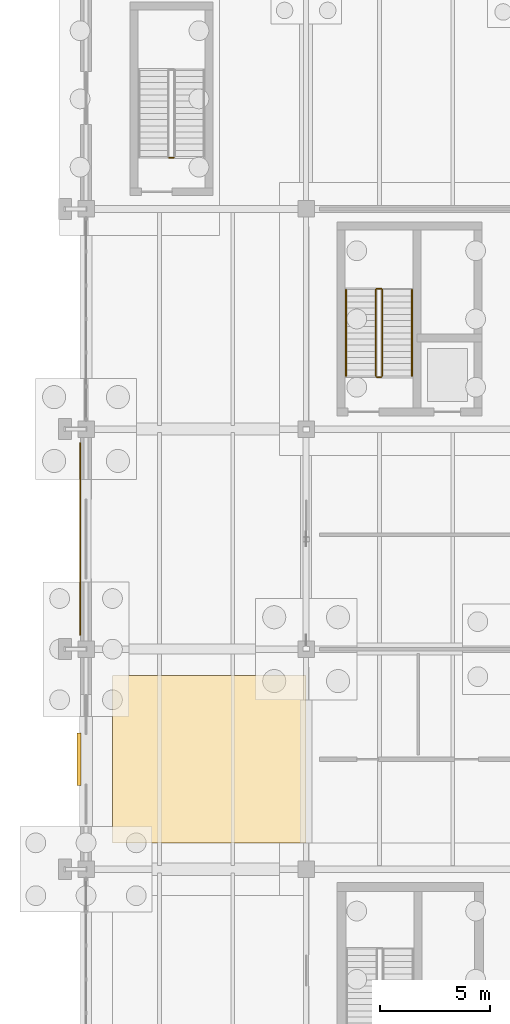
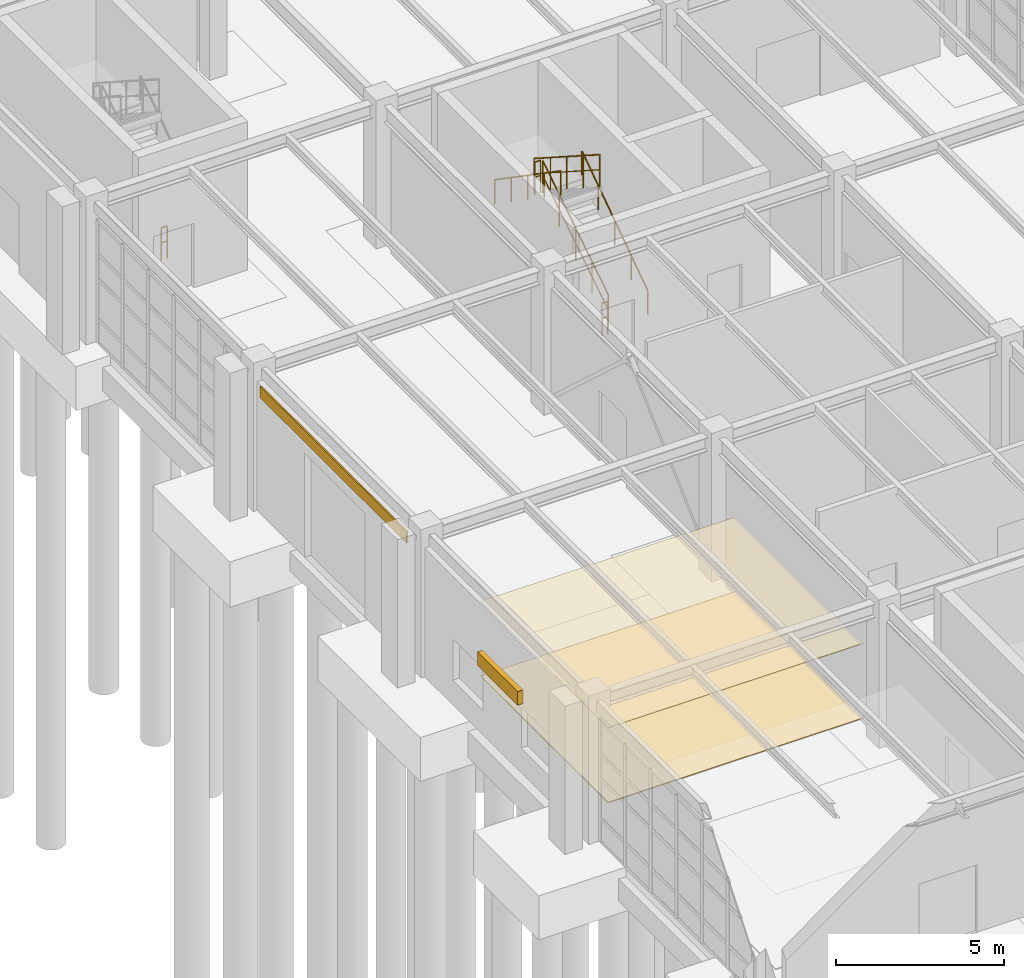
# One storey, part 132 of 145: 7 railings, 3 coverings, 1 shading device.
"""IFC4 building model written with IfcOpenShell, lengths in metres."""

from ifc_helpers import new_model, si_unit, direction, frame, origin, origin_2d, place, context, subcontext, project, spatial, polyline, rectangle, circle, outline, extrude, material, layer, layer_set, type_object, element, save


model = new_model("IFC4")

# Units and contexts
model_context = context("Model", 3, precision=1e-05, world=origin(), true_north=direction((0.0, 1.0)))
body_context = subcontext(model_context, "Body", "Model", "MODEL_VIEW")
ifc_project = project(units=[si_unit("LENGTHUNIT", "METRE"), si_unit("AREAUNIT", "SQUARE_METRE"), si_unit("VOLUMEUNIT", "CUBIC_METRE"), si_unit("PLANEANGLEUNIT", "RADIAN"), si_unit("MASSUNIT", "GRAM", prefix="KILO"), si_unit("THERMODYNAMICTEMPERATUREUNIT", "KELVIN"), si_unit("POWERUNIT", "WATT")], contexts=[model_context])

# Site, building, storey
site_placement = place(None, origin())
site = spatial("IfcSite", under=ifc_project, at=site_placement, CompositionType="ELEMENT")
building_placement = place(site_placement, origin())
building = spatial("IfcBuilding", under=site, at=building_placement, Name="Korenveer Ferry Terminal", CompositionType="ELEMENT")
storey_placement = place(building_placement, origin())
storey = spatial("IfcBuildingStorey", under=building, at=storey_placement, Name="L00", CompositionType="ELEMENT", Elevation=0.0)

# Covering
ifc_material_1 = material(Name="Carved Belgian bluestone spandrel cladding", Category="masonry")
ifc_layer_1 = layer(ifc_material_1, 0.050048828125)
ifc_layer_set_1 = layer_set([ifc_layer_1], Name="Carved Belgian bluestone spandrel cladding")
covering_type_1 = type_object("IfcCoveringType", Name="ENV-COV-STONE", PredefinedType="CLADDING", material=ifc_layer_set_1)
covering_1_placement = place(storey_placement, frame((0.0, 0.0, 4.27001953125)))
element("IfcCovering", 1, at=covering_1_placement, inside=storey, type_object=covering_type_1, Name="Belgian bluestone spandrel band 9", PredefinedType="CLADDING", context=body_context, shape_type="SweptSolid", body=[
    extrude(outline(polyline([(-0.294921875, 40.625), (-0.2451171875, 40.625), (-0.2451171875, 49.375), (-0.294921875, 49.375), (-0.294921875, 40.625)])), origin(), (0.0, 0.0, 1.0), 0.419921875),
])

# Shading device
ifc_material_2 = material(Name="Anodised bronze aluminium acoustic louvre", Category="aluminium")
shading_device_type = type_object("IfcShadingDeviceType", Name="ENV-SHD-LVR", PredefinedType="SHUTTER", material=ifc_material_2)
shading_device_placement = place(storey_placement, frame((-0.320068359375, 35.0, 2.550048828125), z_axis=(0.0, 0.0, 1.0), x_axis=(0.0, 1.0, 0.0)))
element("IfcShadingDevice", 2, at=shading_device_placement, inside=storey, type_object=shading_device_type, Name="Plant facade intake louvre 3", PredefinedType="SHUTTER", context=body_context, shape_type="SweptSolid", body=[
    extrude(rectangle(XDim=2.39990234375, YDim=0.179931640625, at=origin_2d()), origin(), (0.0, 0.0, 1.0), 0.5),
])

# Coverings
ifc_material_3 = material(Name="Mineral acoustic ceiling board", Category="other")
ifc_layer_2 = layer(ifc_material_3, 0.02490234375)
ifc_layer_set_2 = layer_set([ifc_layer_2], Name="Mineral acoustic ceiling board")
covering_type_2 = type_object("IfcCoveringType", Name="INT-COV-CEIL", PredefinedType="CEILING", material=ifc_layer_set_2)
covering_2_placement = place(storey_placement, frame((0.0, 0.0, 2.72509765625)))
element("IfcCovering", 3, at=covering_2_placement, inside=storey, type_object=covering_type_2, Name="Acoustic room ceiling 2", PredefinedType="CEILING", context=body_context, shape_type="SweptSolid", body=[
    extrude(outline(polyline([(1.199951171875, 31.199951171875), (10.0, 31.199951171875), (10.0, 38.800048828125), (1.199951171875, 38.800048828125), (1.199951171875, 31.199951171875)])), origin(), (0.0, 0.0, 1.0), 0.02490234375),
])
ifc_material_4 = material(Name="Polished terrazzo tile finish", Category="masonry")
ifc_layer_3 = layer(ifc_material_4, 0.030029296875)
ifc_layer_set_3 = layer_set([ifc_layer_3], Name="Polished terrazzo tile finish")
covering_type_3 = type_object("IfcCoveringType", Name="INT-COV-FLR", PredefinedType="FLOORING", material=ifc_layer_set_3)
covering_3_placement = place(storey_placement, origin())
element("IfcCovering", 4, at=covering_3_placement, inside=storey, type_object=covering_type_3, Name="Terrazzo floor finish 2", PredefinedType="FLOORING", context=body_context, shape_type="SweptSolid", body=[
    extrude(outline(polyline([(1.199951171875, 31.199951171875), (10.0, 31.199951171875), (10.0, 38.800048828125), (1.199951171875, 38.800048828125), (1.199951171875, 31.199951171875)])), origin(), (0.0, 0.0, 1.0), 0.030029296875),
])

# Railings
ifc_material_5 = material(Name="Brushed stainless steel handrail", Category="steel")
railing_type_1 = type_object("IfcRailingType", Name="INT-RL-HND90", PredefinedType="HANDRAIL", material=ifc_material_5)
railing_1_placement = place(storey_placement, frame((14.81005859375, 52.409912109375, 0.179931640625)))
element("IfcRailing", 5, at=railing_1_placement, inside=storey, type_object=railing_type_1, Name="L00 ST02 stair handrail 1", PredefinedType="HANDRAIL", context=body_context, shape_type="SweptSolid", body=[
    extrude(circle(Radius=0.02392578125, at=origin_2d()), frame((0.0, 0.0, 0.8759765625), z_axis=(0.0, 0.823567234665, 0.567218661528), x_axis=(-1.0, 0.0, 0.0)), (0.0, 0.0, 1.0), 4.760009765625),
    extrude(circle(Radius=0.02099609375, at=origin_2d()), origin(), (0.0, 0.0, 1.0), 0.851806640625),
    extrude(circle(Radius=0.02099609375, at=origin_2d()), frame((0.0, 0.97998046875, 0.675048828125)), (0.0, 0.0, 1.0), 0.851806640625),
    extrude(circle(Radius=0.02099609375, at=origin_2d()), frame((0.0, 1.9599609375, 1.35009765625)), (0.0, 0.0, 1.0), 0.851806640625),
    extrude(circle(Radius=0.02099609375, at=origin_2d()), frame((0.0, 2.940185546875, 2.02490234375)), (0.0, 0.0, 1.0), 0.851806640625),
    extrude(circle(Radius=0.02099609375, at=origin_2d()), frame((0.0, 3.920166015625, 2.699951171875)), (0.0, 0.0, 1.0), 0.851806640625),
])
railing_2_placement = place(storey_placement, frame((11.81005859375, 56.330078125, 2.8798828125)))
element("IfcRailing", 6, at=railing_2_placement, inside=storey, type_object=railing_type_1, Name="L00 ST02 stair handrail 2", PredefinedType="HANDRAIL", context=body_context, shape_type="SweptSolid", body=[
    extrude(circle(Radius=0.02392578125, at=origin_2d()), frame((0.0, 0.0, 0.8759765625), z_axis=(0.0, -0.82354327477, 0.567253448276), x_axis=(1.0, 0.0, 0.0)), (0.0, 0.0, 1.0), 4.760009765625),
    extrude(circle(Radius=0.02099609375, at=origin_2d()), origin(), (0.0, 0.0, 1.0), 0.851806640625),
    extrude(circle(Radius=0.02099609375, at=origin_2d()), frame((0.0, -0.97998046875, 0.675048828125)), (0.0, 0.0, 1.0), 0.851806640625),
    extrude(circle(Radius=0.02099609375, at=origin_2d()), frame((0.0, -1.9599609375, 1.35009765625)), (0.0, 0.0, 1.0), 0.851806640625),
    extrude(circle(Radius=0.02099609375, at=origin_2d()), frame((0.0, -2.940185546875, 2.025146484375)), (0.0, 0.0, 1.0), 0.851806640625),
    extrude(circle(Radius=0.02099609375, at=origin_2d()), frame((0.0, -3.920166015625, 2.7001953125)), (0.0, 0.0, 1.0), 0.851806640625),
])
ifc_material_6 = material(Name="Painted steel stair guard", Category="steel")
railing_type_2 = type_object("IfcRailingType", Name="INT-RL-STGRD", PredefinedType="GUARDRAIL", material=ifc_material_6)
railing_3_placement = place(storey_placement, frame((13.4599609375, 52.409912109375, 0.179931640625)))
element("IfcRailing", 7, at=railing_3_placement, inside=storey, type_object=railing_type_2, Name="L00 ST02 stair guard 1", PredefinedType="GUARDRAIL", context=body_context, shape_type="SweptSolid", body=[
    extrude(circle(Radius=0.02392578125, at=origin_2d()), frame((0.0, 0.0, 1.17578125), z_axis=(0.0, 0.841186985886, 0.540744352514), x_axis=(-1.0, 0.0, 0.0)), (0.0, 0.0, 1.0), 4.660400390625),
    extrude(circle(Radius=0.01806640625, at=origin_2d()), frame((0.0, 0.0, 0.6240234375), z_axis=(0.0, 0.841186985886, 0.540744352514), x_axis=(-1.0, 0.0, 0.0)), (0.0, 0.0, 1.0), 4.660400390625),
    extrude(circle(Radius=0.02099609375, at=origin_2d()), origin(), (0.0, 0.0, 1.0), 1.15185546875),
    extrude(circle(Radius=0.02099609375, at=origin_2d()), frame((0.0, 0.97998046875, 0.6298828125)), (0.0, 0.0, 1.0), 1.15185546875),
    extrude(circle(Radius=0.02099609375, at=origin_2d()), frame((0.0, 1.9599609375, 1.260009765625)), (0.0, 0.0, 1.0), 1.15185546875),
    extrude(circle(Radius=0.02099609375, at=origin_2d()), frame((0.0, 2.940185546875, 1.89013671875)), (0.0, 0.0, 1.0), 1.15185546875),
    extrude(circle(Radius=0.02099609375, at=origin_2d()), frame((0.0, 3.920166015625, 2.52001953125)), (0.0, 0.0, 1.0), 1.15185546875),
])
railing_4_placement = place(storey_placement, frame((13.409912109375, 56.3798828125, 2.699951171875)))
element("IfcRailing", 8, at=railing_4_placement, inside=storey, type_object=railing_type_2, Name="L00 ST02 stair guard 2", PredefinedType="GUARDRAIL", context=body_context, shape_type="SweptSolid", body=[
    extrude(circle(Radius=0.02392578125, at=origin_2d()), frame((0.0, 0.0, 1.17578125), z_axis=(-1.0, 0.0, 0.0), x_axis=(0.0, -1.0, 0.0)), (0.0, 0.0, 1.0), 0.199951171875),
    extrude(circle(Radius=0.01806640625, at=origin_2d()), frame((0.0, 0.0, 0.6240234375), z_axis=(-1.0, 0.0, 0.0), x_axis=(0.0, -1.0, 0.0)), (0.0, 0.0, 1.0), 0.199951171875),
    extrude(circle(Radius=0.02099609375, at=origin_2d()), origin(), (0.0, 0.0, 1.0), 1.15185546875),
    extrude(circle(Radius=0.02099609375, at=origin_2d()), frame((-0.199951171875, 0.0, 0.0)), (0.0, 0.0, 1.0), 1.15185546875),
])
railing_5_placement = place(storey_placement, frame((13.159912109375, 56.330078125, 2.8798828125)))
element("IfcRailing", 9, at=railing_5_placement, inside=storey, type_object=railing_type_2, Name="L00 ST02 stair guard 3", PredefinedType="GUARDRAIL", context=body_context, shape_type="SweptSolid", body=[
    extrude(circle(Radius=0.02392578125, at=origin_2d()), frame((0.0, 0.0, 1.17578125), z_axis=(0.0, -0.841186985886, 0.540744352514), x_axis=(1.0, 0.0, 0.0)), (0.0, 0.0, 1.0), 4.660400390625),
    extrude(circle(Radius=0.01806640625, at=origin_2d()), frame((0.0, 0.0, 0.6240234375), z_axis=(0.0, -0.841186985886, 0.540744352514), x_axis=(1.0, 0.0, 0.0)), (0.0, 0.0, 1.0), 4.660400390625),
    extrude(circle(Radius=0.02099609375, at=origin_2d()), origin(), (0.0, 0.0, 1.0), 1.15185546875),
    extrude(circle(Radius=0.02099609375, at=origin_2d()), frame((0.0, -0.97998046875, 0.6298828125)), (0.0, 0.0, 1.0), 1.15185546875),
    extrude(circle(Radius=0.02099609375, at=origin_2d()), frame((0.0, -1.9599609375, 1.260009765625)), (0.0, 0.0, 1.0), 1.15185546875),
    extrude(circle(Radius=0.02099609375, at=origin_2d()), frame((0.0, -2.940185546875, 1.89013671875)), (0.0, 0.0, 1.0), 1.15185546875),
    extrude(circle(Radius=0.02099609375, at=origin_2d()), frame((0.0, -3.920166015625, 2.52001953125)), (0.0, 0.0, 1.0), 1.15185546875),
])
for number, where, name in (
    (10, (13.409912109375, 52.360107421875, 0.0), "L00 ST02 stair guard 4"),
    (11, (3.97998046875, 62.330078125, 0.0), "L00 ST11 stair guard 4"),
):
    element("IfcRailing", number, at=place(storey_placement, frame(where)), inside=storey, type_object=railing_type_2, Name=name, PredefinedType="GUARDRAIL", context=body_context, shape_type="SweptSolid", body=[
        extrude(circle(Radius=0.02392578125, at=origin_2d()), frame((0.0, 0.0, 1.17578125), z_axis=(-1.0, 0.0, 0.0), x_axis=(0.0, -1.0, 0.0)), (0.0, 0.0, 1.0), 0.199951171875),
        extrude(circle(Radius=0.01806640625, at=origin_2d()), frame((0.0, 0.0, 0.6240234375), z_axis=(-1.0, 0.0, 0.0), x_axis=(0.0, -1.0, 0.0)), (0.0, 0.0, 1.0), 0.199951171875),
        extrude(circle(Radius=0.02099609375, at=origin_2d()), origin(), (0.0, 0.0, 1.0), 1.15185546875),
        extrude(circle(Radius=0.02099609375, at=origin_2d()), frame((-0.199951171875, 0.0, 0.0)), (0.0, 0.0, 1.0), 1.15185546875),
    ])

save(model, "model.ifc")
